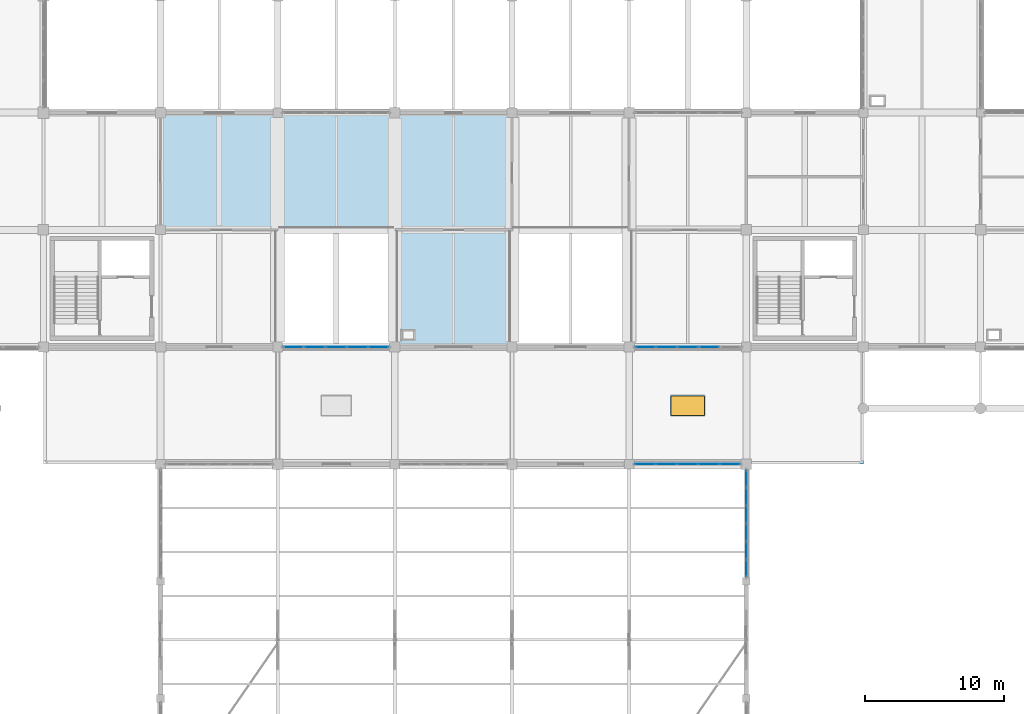
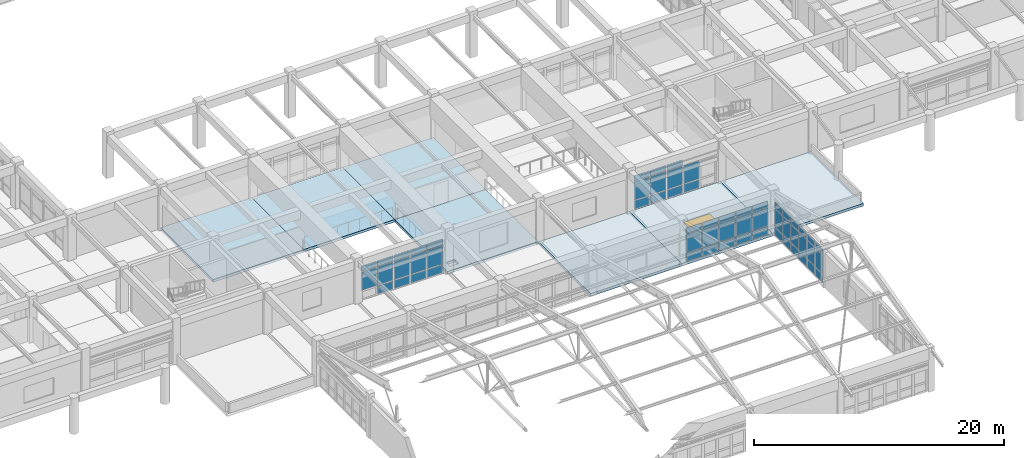
# One storey, part 62 of 99: 58 plates, 7 slabs, 1 window, 1 opening, 4 elements without a shape of their own.
"""IFC4 building model written with IfcOpenShell, lengths in metres."""

import ifcopenshell
import ifcopenshell.guid

model = None  # the IFC model being written
_history = None  # IfcOwnerHistory: only IFC2X3 demands one
_inside = {}  # id of a spatial element -> (the spatial element, [elements in it])
_under = {}  # id of a project, library or spatial element -> (it, [spatial elements below it])
_declared = {}  # id of a project -> (the project, [libraries it declares])
_typed = {}  # id of a type object -> (the type object, [elements of that type])
_made_of = {}  # id of a material, layer set ... -> (it, [elements and type objects made of it])


def new_model(schema):
    """Start an empty IFC model of exactly this schema.

    Asked for "IFC4X3", IfcOpenShell would pick the latest addendum, in which some entities
    have other attributes; the version numbers below select the first issue.
    IFC2X3 requires an IfcOwnerHistory on every rooted entity: one is made here for all.
    """
    global model, _history
    if schema == "IFC4X3":
        model = ifcopenshell.file(schema_version=(4, 3, 0, 0))
    else:
        model = ifcopenshell.file(schema=schema)
    _inside.clear()
    _under.clear()
    _declared.clear()
    _typed.clear()
    _made_of.clear()
    _history = None
    if model.schema == "IFC2X3":
        org = make("IfcOrganization", Name="unknown")
        user = make(
            "IfcPersonAndOrganization",
            ThePerson=make("IfcPerson", FamilyName="unknown"),
            TheOrganization=org,
        )
        app = make(
            "IfcApplication",
            ApplicationDeveloper=org,
            Version="unknown",
            ApplicationFullName="unknown",
            ApplicationIdentifier="unknown",
        )
        _history = make(
            "IfcOwnerHistory",
            OwningUser=user,
            OwningApplication=app,
            ChangeAction="ADDED",
            CreationDate=0,
        )
    return model


def make(cls, **values):
    """One entity of the class cls with the attributes given. An attribute that is None is left unset."""
    return model.create_entity(
        cls, **{name: value for name, value in values.items() if value is not None}
    )


def rooted(cls, **values):
    """An entity with a GlobalId (a new one), such as an element, a storey or a relation."""
    return make(cls, GlobalId=ifcopenshell.guid.new(), OwnerHistory=_history, **values)


def si_unit(unit_type, name, prefix=None):
    """IfcSIUnit, for example si_unit("LENGTHUNIT", "METRE", prefix="MILLI")."""
    return make("IfcSIUnit", UnitType=unit_type, Prefix=prefix, Name=name)


def assignment(units):
    """IfcUnitAssignment: the units of a project."""
    return None if units is None else make("IfcUnitAssignment", Units=units)


def point(xyz):
    """IfcCartesianPoint."""
    return None if xyz is None else make("IfcCartesianPoint", Coordinates=xyz)


def direction(xyz):
    """IfcDirection."""
    return None if xyz is None else make("IfcDirection", DirectionRatios=xyz)


def frame(location, z_axis=None, x_axis=None):
    """IfcAxis2Placement3D, a coordinate frame: its origin and axes. An axis left out is left unset."""
    return make(
        "IfcAxis2Placement3D",
        Location=point(location),
        Axis=direction(z_axis),
        RefDirection=direction(x_axis),
    )


def frame_2d(location, x_axis=None):
    """IfcAxis2Placement2D, a coordinate frame in the plane: its origin and x axis."""
    return make(
        "IfcAxis2Placement2D", Location=point(location), RefDirection=direction(x_axis)
    )


def origin():
    """The frame at (0, 0, 0) with its axes left unset."""
    return frame((0.0, 0.0, 0.0))


def origin_2d():
    """The frame at (0, 0) in the plane with its x axis left unset."""
    return frame_2d((0.0, 0.0))


def place(relative_to, where):
    """IfcLocalPlacement: puts the frame where relative to a parent placement (None: the world)."""
    return make(
        "IfcLocalPlacement", PlacementRelTo=relative_to, RelativePlacement=where
    )


def context(
    kind, dimensions, precision=None, world=None, true_north=None, identifier=None
):
    """IfcGeometricRepresentationContext, for example the 3D "Model" context."""
    return make(
        "IfcGeometricRepresentationContext",
        ContextIdentifier=identifier,
        ContextType=kind,
        CoordinateSpaceDimension=dimensions,
        Precision=precision,
        WorldCoordinateSystem=world,
        TrueNorth=true_north,
    )


def subcontext(parent, identifier, kind, view, scale=None):
    """IfcGeometricRepresentationSubContext, for example "Body" below "Model"."""
    return make(
        "IfcGeometricRepresentationSubContext",
        ContextIdentifier=identifier,
        ContextType=kind,
        ParentContext=parent,
        TargetScale=scale,
        TargetView=view,
    )


def project(units=None, contexts=None):
    """IfcProject with its units and contexts."""
    return rooted(
        "IfcProject",
        Name="project",
        RepresentationContexts=contexts,
        UnitsInContext=assignment(units),
    )


def spatial(cls, under=None, at=None, **own):
    """A site, building, storey or space (cls), placed at a placement, below another one or the project."""
    s = rooted(cls, ObjectPlacement=at, **own)
    if under is not None:
        _under.setdefault(under.id(), (under, []))[1].append(s)
    return s


def polyline(points):
    """IfcPolyline through the points."""
    return make("IfcPolyline", Points=[point(p) for p in points])


def profile(cls, at=None, kind="AREA", **sizes):
    """A parametric profile (cls). Its sizes go by their IFC names, for example OverallWidth=200.0."""
    return make(cls, ProfileType=kind, Position=at, **sizes)


def rectangle(**sizes):
    """IfcRectangleProfileDef."""
    return profile("IfcRectangleProfileDef", **sizes)


def outline(outer, holes=None, kind="AREA"):
    """IfcArbitraryClosedProfileDef: a profile drawn as a closed curve; with holes, ...WithVoids."""
    if holes is None:
        return make("IfcArbitraryClosedProfileDef", ProfileType=kind, OuterCurve=outer)
    return make(
        "IfcArbitraryProfileDefWithVoids",
        ProfileType=kind,
        OuterCurve=outer,
        InnerCurves=holes,
    )


def extrude(swept, where, along, depth):
    """IfcExtrudedAreaSolid: the profile swept, set in the frame where, extruded along a direction by depth."""
    return make(
        "IfcExtrudedAreaSolid",
        SweptArea=swept,
        Position=where,
        ExtrudedDirection=direction(along),
        Depth=depth,
    )


def shape(context_of_items, identifier, shape_type, items):
    """IfcShapeRepresentation: the items that make up one representation, for example the "Body"."""
    return make(
        "IfcShapeRepresentation",
        ContextOfItems=context_of_items,
        RepresentationIdentifier=identifier,
        RepresentationType=shape_type,
        Items=items,
    )


def material(Name=None, Category=None):
    """IfcMaterial."""
    return make("IfcMaterial", Name=Name, Category=Category)


def layer(
    of_material, thickness, ventilated=None, Name=None, Category=None, Priority=None
):
    """IfcMaterialLayer: one layer of a wall or slab, of a material (None: an air gap)."""
    return make(
        "IfcMaterialLayer",
        Material=of_material,
        LayerThickness=thickness,
        IsVentilated=ventilated,
        Name=Name,
        Category=Category,
        Priority=Priority,
    )


def layer_set(layers, Name=None):
    """IfcMaterialLayerSet."""
    return make("IfcMaterialLayerSet", MaterialLayers=layers, LayerSetName=Name)


def made_of(thing, what):
    """Note that an element or type object is made of a material, layer set ...; save() writes the relation."""
    if what is not None:
        _made_of.setdefault(what.id(), (what, []))[1].append(thing)
    return thing


def type_object(cls, material=None, **own):
    """A type object (cls), such as IfcWallType, which elements share."""
    return made_of(rooted(cls, **own), material)


def element(
    cls,
    number,
    at=None,
    inside=None,
    cuts=None,
    type_object=None,
    material=None,
    context=None,
    identifier="Body",
    shape_type=None,
    held_by="IfcProductDefinitionShape",
    body=None,
    shapes=None,
    **own,
):
    """One element of the class cls, such as IfcWall. Its Tag is "e" and its number.

    at: its placement. inside: the storey or other place that contains it. cuts: it is an
    opening in that element (IfcRelVoidsElement). A single representation is given by context,
    identifier, shape_type and body (its items); several are given by shapes. held_by: the class
    of the entity that holds the representations. save() writes the other relations.
    """
    e = rooted(cls, Tag="e%d" % number, ObjectPlacement=at, **own)
    if body is not None:
        shapes = [shape(context, identifier, shape_type, body)]
    if shapes is not None:
        e.Representation = make(held_by, Representations=shapes)
    if inside is not None:
        _inside.setdefault(inside.id(), (inside, []))[1].append(e)
    if cuts is not None:
        rooted(
            "IfcRelVoidsElement", RelatingBuildingElement=cuts, RelatedOpeningElement=e
        )
    if type_object is not None:
        _typed.setdefault(type_object.id(), (type_object, []))[1].append(e)
    return made_of(e, material)


def fill(opening, filler):
    """IfcRelFillsElement: the door or window that sits in an opening."""
    return rooted(
        "IfcRelFillsElement",
        RelatingOpeningElement=opening,
        RelatedBuildingElement=filler,
    )


def aggregate(whole, parts):
    """IfcRelAggregates: a whole, such as a stair, and the parts it consists of."""
    return rooted("IfcRelAggregates", RelatingObject=whole, RelatedObjects=parts)


def save(model, path):
    """Write the relations noted so far, then the file.

    IfcRelAggregates (storeys below a building ...), IfcRelContainedInSpatialStructure (elements
    in a storey), IfcRelDefinesByType, IfcRelAssociatesMaterial and IfcRelDeclares: one each for
    every whole, place, type object, material and project.
    """
    for whole, parts in _under.values():
        aggregate(whole, parts)
    for where, things in _inside.values():
        rooted(
            "IfcRelContainedInSpatialStructure",
            RelatedElements=things,
            RelatingStructure=where,
        )
    for kind, things in _typed.values():
        rooted("IfcRelDefinesByType", RelatedObjects=things, RelatingType=kind)
    for what, things in _made_of.values():
        rooted("IfcRelAssociatesMaterial", RelatedObjects=things, RelatingMaterial=what)
    for by, libraries in _declared.values():
        rooted("IfcRelDeclares", RelatingContext=by, RelatedDefinitions=libraries)
    model.write(path)


model = new_model("IFC4")

# Units and contexts
model_context = context("Model", 3, precision=1e-05, world=origin(), true_north=direction((0.0, 1.0)))
body_context = subcontext(model_context, "Body", "Model", "MODEL_VIEW")
ifc_project = project(units=[si_unit("LENGTHUNIT", "METRE"), si_unit("AREAUNIT", "SQUARE_METRE"), si_unit("VOLUMEUNIT", "CUBIC_METRE"), si_unit("PLANEANGLEUNIT", "RADIAN"), si_unit("MASSUNIT", "GRAM", prefix="KILO")], contexts=[model_context])

# Site, building, storey
site_placement = place(None, origin())
site = spatial("IfcSite", under=ifc_project, at=site_placement, CompositionType="ELEMENT")
building_placement = place(site_placement, origin())
building = spatial("IfcBuilding", under=site, at=building_placement, Name="Porcellanite Civic Hall", CompositionType="ELEMENT")
storey_placement = place(building_placement, frame((0.0, 0.0, 5.760009765625)))
storey = spatial("IfcBuildingStorey", under=building, at=storey_placement, Name="L01", CompositionType="ELEMENT", Elevation=5.760009765625)

# Curtain wall, plates
ifc_material_1 = material(Name="Anodised aluminium and solar laminated glass", Category="aluminium")
ifc_layer_1 = layer(ifc_material_1, 0.179931640625)
ifc_layer_set_1 = layer_set([ifc_layer_1], Name="Anodised aluminium and solar laminated glass")
curtain_wall_type = type_object("IfcCurtainWallType", Name="CW-SYS01", PredefinedType="NOTDEFINED", material=ifc_layer_set_1)
curtain_wall_1_placement = place(storey_placement, origin())
curtain_wall_1 = element("IfcCurtainWall", 1, at=curtain_wall_1_placement, inside=storey, type_object=curtain_wall_type, Name="Curtain wall CW-092", PredefinedType="NOTDEFINED")
ifc_material_2 = material(Name="Cyclone laminated solar-control low-E glass", Category="glass")
ifc_layer_2 = layer(ifc_material_2, 0.02392578125)
ifc_layer_set_2 = layer_set([ifc_layer_2], Name="Cyclone laminated solar-control low-E glass")
plate_type = type_object("IfcPlateType", Name="CWP-01", PredefinedType="CURTAIN_PANEL", material=ifc_layer_set_2)
plate_1_placement = place(storey_placement, frame((82.836669921875, 50.39990234375, 0.070068359375), z_axis=(0.0, 0.0, 1.0), x_axis=(-1.0, 0.0, 0.0)))
plate_1 = element("IfcPlate", 2, at=plate_1_placement, type_object=plate_type, Name="CW-092 panel 1.1", PredefinedType="CURTAIN_PANEL", context=body_context, shape_type="SweptSolid", body=[
    extrude(rectangle(XDim=1.41455078125, YDim=0.02392578125, at=origin_2d()), origin(), (0.0, 0.0, 1.0), 0.794921875),
])
plate_2_placement = place(storey_placement, frame((82.836669921875, 50.39990234375, 0.93505859375), z_axis=(0.0, 0.0, 1.0), x_axis=(-1.0, 0.0, 0.0)))
plate_2 = element("IfcPlate", 3, at=plate_2_placement, type_object=plate_type, Name="CW-092 panel 1.2", PredefinedType="CURTAIN_PANEL", context=body_context, shape_type="SweptSolid", body=[
    extrude(rectangle(XDim=1.41455078125, YDim=0.02392578125, at=origin_2d()), origin(), (0.0, 0.0, 1.0), 1.780029296875),
])
plate_3_placement = place(storey_placement, frame((82.836669921875, 50.39990234375, 2.784912109375), z_axis=(0.0, 0.0, 1.0), x_axis=(-1.0, 0.0, 0.0)))
plate_3 = element("IfcPlate", 4, at=plate_3_placement, type_object=plate_type, Name="CW-092 panel 1.3", PredefinedType="CURTAIN_PANEL", context=body_context, shape_type="SweptSolid", body=[
    extrude(rectangle(XDim=1.41455078125, YDim=0.02392578125, at=origin_2d()), origin(), (0.0, 0.0, 1.0), 0.544921875),
])
plate_4_placement = place(storey_placement, frame((81.322021484375, 50.39990234375, 0.070068359375), z_axis=(0.0, 0.0, 1.0), x_axis=(-1.0, 0.0, 0.0)))
plate_4 = element("IfcPlate", 5, at=plate_4_placement, type_object=plate_type, Name="CW-092 panel 2.1", PredefinedType="CURTAIN_PANEL", context=body_context, shape_type="SweptSolid", body=[
    extrude(rectangle(XDim=1.45458984375, YDim=0.02392578125, at=origin_2d()), origin(), (0.0, 0.0, 1.0), 0.794921875),
])
plate_5_placement = place(storey_placement, frame((81.322021484375, 50.39990234375, 0.93505859375), z_axis=(0.0, 0.0, 1.0), x_axis=(-1.0, 0.0, 0.0)))
plate_5 = element("IfcPlate", 6, at=plate_5_placement, type_object=plate_type, Name="CW-092 panel 2.2", PredefinedType="CURTAIN_PANEL", context=body_context, shape_type="SweptSolid", body=[
    extrude(rectangle(XDim=1.45458984375, YDim=0.02392578125, at=origin_2d()), origin(), (0.0, 0.0, 1.0), 1.780029296875),
])
plate_6_placement = place(storey_placement, frame((81.322021484375, 50.39990234375, 2.784912109375), z_axis=(0.0, 0.0, 1.0), x_axis=(-1.0, 0.0, 0.0)))
plate_6 = element("IfcPlate", 7, at=plate_6_placement, type_object=plate_type, Name="CW-092 panel 2.3", PredefinedType="CURTAIN_PANEL", context=body_context, shape_type="SweptSolid", body=[
    extrude(rectangle(XDim=1.45458984375, YDim=0.02392578125, at=origin_2d()), origin(), (0.0, 0.0, 1.0), 0.544921875),
])
plate_7_placement = place(storey_placement, frame((79.78759765625, 50.39990234375, 0.070068359375), z_axis=(0.0, 0.0, 1.0), x_axis=(-1.0, 0.0, 0.0)))
plate_7 = element("IfcPlate", 8, at=plate_7_placement, type_object=plate_type, Name="CW-092 panel 3.1", PredefinedType="CURTAIN_PANEL", context=body_context, shape_type="SweptSolid", body=[
    extrude(rectangle(XDim=1.45458984375, YDim=0.02392578125, at=origin_2d()), origin(), (0.0, 0.0, 1.0), 0.794921875),
])
plate_8_placement = place(storey_placement, frame((79.78759765625, 50.39990234375, 0.93505859375), z_axis=(0.0, 0.0, 1.0), x_axis=(-1.0, 0.0, 0.0)))
plate_8 = element("IfcPlate", 9, at=plate_8_placement, type_object=plate_type, Name="CW-092 panel 3.2", PredefinedType="CURTAIN_PANEL", context=body_context, shape_type="SweptSolid", body=[
    extrude(rectangle(XDim=1.45458984375, YDim=0.02392578125, at=origin_2d()), origin(), (0.0, 0.0, 1.0), 1.780029296875),
])
plate_9_placement = place(storey_placement, frame((79.78759765625, 50.39990234375, 2.784912109375), z_axis=(0.0, 0.0, 1.0), x_axis=(-1.0, 0.0, 0.0)))
plate_9 = element("IfcPlate", 10, at=plate_9_placement, type_object=plate_type, Name="CW-092 panel 3.3", PredefinedType="CURTAIN_PANEL", context=body_context, shape_type="SweptSolid", body=[
    extrude(rectangle(XDim=1.45458984375, YDim=0.02392578125, at=origin_2d()), origin(), (0.0, 0.0, 1.0), 0.544921875),
])
plate_10_placement = place(storey_placement, frame((78.2529296875, 50.39990234375, 0.070068359375), z_axis=(0.0, 0.0, 1.0), x_axis=(-1.0, 0.0, 0.0)))
plate_10 = element("IfcPlate", 11, at=plate_10_placement, type_object=plate_type, Name="CW-092 panel 4.1", PredefinedType="CURTAIN_PANEL", context=body_context, shape_type="SweptSolid", body=[
    extrude(rectangle(XDim=1.45458984375, YDim=0.02392578125, at=origin_2d()), origin(), (0.0, 0.0, 1.0), 0.794921875),
])
plate_11_placement = place(storey_placement, frame((78.2529296875, 50.39990234375, 0.93505859375), z_axis=(0.0, 0.0, 1.0), x_axis=(-1.0, 0.0, 0.0)))
plate_11 = element("IfcPlate", 12, at=plate_11_placement, type_object=plate_type, Name="CW-092 panel 4.2", PredefinedType="CURTAIN_PANEL", context=body_context, shape_type="SweptSolid", body=[
    extrude(rectangle(XDim=1.45458984375, YDim=0.02392578125, at=origin_2d()), origin(), (0.0, 0.0, 1.0), 1.780029296875),
])
plate_12_placement = place(storey_placement, frame((78.2529296875, 50.39990234375, 2.784912109375), z_axis=(0.0, 0.0, 1.0), x_axis=(-1.0, 0.0, 0.0)))
plate_12 = element("IfcPlate", 13, at=plate_12_placement, type_object=plate_type, Name="CW-092 panel 4.3", PredefinedType="CURTAIN_PANEL", context=body_context, shape_type="SweptSolid", body=[
    extrude(rectangle(XDim=1.45458984375, YDim=0.02392578125, at=origin_2d()), origin(), (0.0, 0.0, 1.0), 0.544921875),
])
plate_13_placement = place(storey_placement, frame((76.73828125, 50.39990234375, 0.93505859375), z_axis=(0.0, 0.0, 1.0), x_axis=(-1.0, 0.0, 0.0)))
plate_13 = element("IfcPlate", 14, at=plate_13_placement, type_object=plate_type, Name="CW-092 panel 5.2", PredefinedType="CURTAIN_PANEL", context=body_context, shape_type="SweptSolid", body=[
    extrude(rectangle(XDim=1.41455078125, YDim=0.02392578125, at=origin_2d()), origin(), (0.0, 0.0, 1.0), 1.780029296875),
])
plate_14_placement = place(storey_placement, frame((76.73828125, 50.39990234375, 2.784912109375), z_axis=(0.0, 0.0, 1.0), x_axis=(-1.0, 0.0, 0.0)))
plate_14 = element("IfcPlate", 15, at=plate_14_placement, type_object=plate_type, Name="CW-092 panel 5.3", PredefinedType="CURTAIN_PANEL", context=body_context, shape_type="SweptSolid", body=[
    extrude(rectangle(XDim=1.41455078125, YDim=0.02392578125, at=origin_2d()), origin(), (0.0, 0.0, 1.0), 0.544921875),
])
aggregate(curtain_wall_1, [plate_1, plate_2, plate_3, plate_4, plate_5, plate_6, plate_7, plate_8, plate_9, plate_10, plate_11, plate_12, plate_13, plate_14])

curtain_wall_2_placement = place(storey_placement, origin())
curtain_wall_2 = element("IfcCurtainWall", 16, at=curtain_wall_2_placement, inside=storey, type_object=curtain_wall_type, Name="Curtain wall CW-100", PredefinedType="NOTDEFINED")
plate_15_placement = place(storey_placement, frame((101.938232421875, 42.0, 0.070068359375), z_axis=(0.0, 0.0, 1.0), x_axis=(1.0, 0.0, 0.0)))
plate_15 = element("IfcPlate", 17, at=plate_15_placement, type_object=plate_type, Name="CW-100 panel 1.1", PredefinedType="CURTAIN_PANEL", context=body_context, shape_type="SweptSolid", body=[
    extrude(rectangle(XDim=1.41455078125, YDim=0.02392578125, at=origin_2d()), origin(), (0.0, 0.0, 1.0), 0.794921875),
])
plate_16_placement = place(storey_placement, frame((101.938232421875, 42.0, 0.93505859375), z_axis=(0.0, 0.0, 1.0), x_axis=(1.0, 0.0, 0.0)))
plate_16 = element("IfcPlate", 18, at=plate_16_placement, type_object=plate_type, Name="CW-100 panel 1.2", PredefinedType="CURTAIN_PANEL", context=body_context, shape_type="SweptSolid", body=[
    extrude(rectangle(XDim=1.41455078125, YDim=0.02392578125, at=origin_2d()), origin(), (0.0, 0.0, 1.0), 1.780029296875),
])
plate_17_placement = place(storey_placement, frame((101.938232421875, 42.0, 2.784912109375), z_axis=(0.0, 0.0, 1.0), x_axis=(1.0, 0.0, 0.0)))
plate_17 = element("IfcPlate", 19, at=plate_17_placement, type_object=plate_type, Name="CW-100 panel 1.3", PredefinedType="CURTAIN_PANEL", context=body_context, shape_type="SweptSolid", body=[
    extrude(rectangle(XDim=1.41455078125, YDim=0.02392578125, at=origin_2d()), origin(), (0.0, 0.0, 1.0), 0.544921875),
])
plate_18_placement = place(storey_placement, frame((103.452880859375, 42.0, 0.070068359375), z_axis=(0.0, 0.0, 1.0), x_axis=(1.0, 0.0, 0.0)))
plate_18 = element("IfcPlate", 20, at=plate_18_placement, type_object=plate_type, Name="CW-100 panel 2.1", PredefinedType="CURTAIN_PANEL", context=body_context, shape_type="SweptSolid", body=[
    extrude(rectangle(XDim=1.45458984375, YDim=0.02392578125, at=origin_2d()), origin(), (0.0, 0.0, 1.0), 0.794921875),
])
plate_19_placement = place(storey_placement, frame((103.452880859375, 42.0, 0.93505859375), z_axis=(0.0, 0.0, 1.0), x_axis=(1.0, 0.0, 0.0)))
plate_19 = element("IfcPlate", 21, at=plate_19_placement, type_object=plate_type, Name="CW-100 panel 2.2", PredefinedType="CURTAIN_PANEL", context=body_context, shape_type="SweptSolid", body=[
    extrude(rectangle(XDim=1.45458984375, YDim=0.02392578125, at=origin_2d()), origin(), (0.0, 0.0, 1.0), 1.780029296875),
])
plate_20_placement = place(storey_placement, frame((103.452880859375, 42.0, 2.784912109375), z_axis=(0.0, 0.0, 1.0), x_axis=(1.0, 0.0, 0.0)))
plate_20 = element("IfcPlate", 22, at=plate_20_placement, type_object=plate_type, Name="CW-100 panel 2.3", PredefinedType="CURTAIN_PANEL", context=body_context, shape_type="SweptSolid", body=[
    extrude(rectangle(XDim=1.45458984375, YDim=0.02392578125, at=origin_2d()), origin(), (0.0, 0.0, 1.0), 0.544921875),
])
plate_21_placement = place(storey_placement, frame((104.987548828125, 42.0, 0.070068359375), z_axis=(0.0, 0.0, 1.0), x_axis=(1.0, 0.0, 0.0)))
plate_21 = element("IfcPlate", 23, at=plate_21_placement, type_object=plate_type, Name="CW-100 panel 3.1", PredefinedType="CURTAIN_PANEL", context=body_context, shape_type="SweptSolid", body=[
    extrude(rectangle(XDim=1.45458984375, YDim=0.02392578125, at=origin_2d()), origin(), (0.0, 0.0, 1.0), 0.794921875),
])
plate_22_placement = place(storey_placement, frame((104.987548828125, 42.0, 0.93505859375), z_axis=(0.0, 0.0, 1.0), x_axis=(1.0, 0.0, 0.0)))
plate_22 = element("IfcPlate", 24, at=plate_22_placement, type_object=plate_type, Name="CW-100 panel 3.2", PredefinedType="CURTAIN_PANEL", context=body_context, shape_type="SweptSolid", body=[
    extrude(rectangle(XDim=1.45458984375, YDim=0.02392578125, at=origin_2d()), origin(), (0.0, 0.0, 1.0), 1.780029296875),
])
plate_23_placement = place(storey_placement, frame((104.987548828125, 42.0, 2.784912109375), z_axis=(0.0, 0.0, 1.0), x_axis=(1.0, 0.0, 0.0)))
plate_23 = element("IfcPlate", 25, at=plate_23_placement, type_object=plate_type, Name="CW-100 panel 3.3", PredefinedType="CURTAIN_PANEL", context=body_context, shape_type="SweptSolid", body=[
    extrude(rectangle(XDim=1.45458984375, YDim=0.02392578125, at=origin_2d()), origin(), (0.0, 0.0, 1.0), 0.544921875),
])
plate_24_placement = place(storey_placement, frame((106.522216796875, 42.0, 0.070068359375), z_axis=(0.0, 0.0, 1.0), x_axis=(1.0, 0.0, 0.0)))
plate_24 = element("IfcPlate", 26, at=plate_24_placement, type_object=plate_type, Name="CW-100 panel 4.1", PredefinedType="CURTAIN_PANEL", context=body_context, shape_type="SweptSolid", body=[
    extrude(rectangle(XDim=1.45458984375, YDim=0.02392578125, at=origin_2d()), origin(), (0.0, 0.0, 1.0), 0.794921875),
])
plate_25_placement = place(storey_placement, frame((106.522216796875, 42.0, 0.93505859375), z_axis=(0.0, 0.0, 1.0), x_axis=(1.0, 0.0, 0.0)))
plate_25 = element("IfcPlate", 27, at=plate_25_placement, type_object=plate_type, Name="CW-100 panel 4.2", PredefinedType="CURTAIN_PANEL", context=body_context, shape_type="SweptSolid", body=[
    extrude(rectangle(XDim=1.45458984375, YDim=0.02392578125, at=origin_2d()), origin(), (0.0, 0.0, 1.0), 1.780029296875),
])
plate_26_placement = place(storey_placement, frame((106.522216796875, 42.0, 2.784912109375), z_axis=(0.0, 0.0, 1.0), x_axis=(1.0, 0.0, 0.0)))
plate_26 = element("IfcPlate", 28, at=plate_26_placement, type_object=plate_type, Name="CW-100 panel 4.3", PredefinedType="CURTAIN_PANEL", context=body_context, shape_type="SweptSolid", body=[
    extrude(rectangle(XDim=1.45458984375, YDim=0.02392578125, at=origin_2d()), origin(), (0.0, 0.0, 1.0), 0.544921875),
])
plate_27_placement = place(storey_placement, frame((108.03662109375, 42.0, 0.070068359375), z_axis=(0.0, 0.0, 1.0), x_axis=(1.0, 0.0, 0.0)))
plate_27 = element("IfcPlate", 29, at=plate_27_placement, type_object=plate_type, Name="CW-100 panel 5.1", PredefinedType="CURTAIN_PANEL", context=body_context, shape_type="SweptSolid", body=[
    extrude(rectangle(XDim=1.41455078125, YDim=0.02392578125, at=origin_2d()), origin(), (0.0, 0.0, 1.0), 0.794921875),
])
plate_28_placement = place(storey_placement, frame((108.03662109375, 42.0, 0.93505859375), z_axis=(0.0, 0.0, 1.0), x_axis=(1.0, 0.0, 0.0)))
plate_28 = element("IfcPlate", 30, at=plate_28_placement, type_object=plate_type, Name="CW-100 panel 5.2", PredefinedType="CURTAIN_PANEL", context=body_context, shape_type="SweptSolid", body=[
    extrude(rectangle(XDim=1.41455078125, YDim=0.02392578125, at=origin_2d()), origin(), (0.0, 0.0, 1.0), 1.780029296875),
])
plate_29_placement = place(storey_placement, frame((108.03662109375, 42.0, 2.784912109375), z_axis=(0.0, 0.0, 1.0), x_axis=(1.0, 0.0, 0.0)))
plate_29 = element("IfcPlate", 31, at=plate_29_placement, type_object=plate_type, Name="CW-100 panel 5.3", PredefinedType="CURTAIN_PANEL", context=body_context, shape_type="SweptSolid", body=[
    extrude(rectangle(XDim=1.41455078125, YDim=0.02392578125, at=origin_2d()), origin(), (0.0, 0.0, 1.0), 0.544921875),
])
aggregate(curtain_wall_2, [plate_15, plate_16, plate_17, plate_18, plate_19, plate_20, plate_21, plate_22, plate_23, plate_24, plate_25, plate_26, plate_27, plate_28, plate_29])

curtain_wall_3_placement = place(storey_placement, origin())
curtain_wall_3 = element("IfcCurtainWall", 32, at=curtain_wall_3_placement, inside=storey, type_object=curtain_wall_type, Name="Curtain wall CW-101", PredefinedType="NOTDEFINED")
plate_30_placement = place(storey_placement, frame((109.199951171875, 40.958251953125, 0.070068359375), z_axis=(0.0, 0.0, 1.0), x_axis=(0.0, -1.0, 0.0)))
plate_30 = element("IfcPlate", 33, at=plate_30_placement, type_object=plate_type, Name="CW-101 panel 1.1", PredefinedType="CURTAIN_PANEL", context=body_context, shape_type="SweptSolid", body=[
    extrude(rectangle(XDim=1.17138671875, YDim=0.02392578125, at=origin_2d()), origin(), (0.0, 0.0, 1.0), 0.794921875),
])
plate_31_placement = place(storey_placement, frame((109.199951171875, 40.958251953125, 0.93505859375), z_axis=(0.0, 0.0, 1.0), x_axis=(0.0, -1.0, 0.0)))
plate_31 = element("IfcPlate", 34, at=plate_31_placement, type_object=plate_type, Name="CW-101 panel 1.2", PredefinedType="CURTAIN_PANEL", context=body_context, shape_type="SweptSolid", body=[
    extrude(rectangle(XDim=1.17138671875, YDim=0.02392578125, at=origin_2d()), origin(), (0.0, 0.0, 1.0), 1.780029296875),
])
plate_32_placement = place(storey_placement, frame((109.199951171875, 40.958251953125, 2.784912109375), z_axis=(0.0, 0.0, 1.0), x_axis=(0.0, -1.0, 0.0)))
plate_32 = element("IfcPlate", 35, at=plate_32_placement, type_object=plate_type, Name="CW-101 panel 1.3", PredefinedType="CURTAIN_PANEL", context=body_context, shape_type="SweptSolid", body=[
    extrude(rectangle(XDim=1.17138671875, YDim=0.02392578125, at=origin_2d()), origin(), (0.0, 0.0, 1.0), 0.544921875),
])
plate_33_placement = place(storey_placement, frame((109.199951171875, 39.68701171875, 0.070068359375), z_axis=(0.0, 0.0, 1.0), x_axis=(0.0, -1.0, 0.0)))
plate_33 = element("IfcPlate", 36, at=plate_33_placement, type_object=plate_type, Name="CW-101 panel 2.1", PredefinedType="CURTAIN_PANEL", context=body_context, shape_type="SweptSolid", body=[
    extrude(rectangle(XDim=1.21142578125, YDim=0.02392578125, at=origin_2d()), origin(), (0.0, 0.0, 1.0), 0.794921875),
])
plate_34_placement = place(storey_placement, frame((109.199951171875, 39.68701171875, 0.93505859375), z_axis=(0.0, 0.0, 1.0), x_axis=(0.0, -1.0, 0.0)))
plate_34 = element("IfcPlate", 37, at=plate_34_placement, type_object=plate_type, Name="CW-101 panel 2.2", PredefinedType="CURTAIN_PANEL", context=body_context, shape_type="SweptSolid", body=[
    extrude(rectangle(XDim=1.21142578125, YDim=0.02392578125, at=origin_2d()), origin(), (0.0, 0.0, 1.0), 1.780029296875),
])
plate_35_placement = place(storey_placement, frame((109.199951171875, 39.68701171875, 2.784912109375), z_axis=(0.0, 0.0, 1.0), x_axis=(0.0, -1.0, 0.0)))
plate_35 = element("IfcPlate", 38, at=plate_35_placement, type_object=plate_type, Name="CW-101 panel 2.3", PredefinedType="CURTAIN_PANEL", context=body_context, shape_type="SweptSolid", body=[
    extrude(rectangle(XDim=1.21142578125, YDim=0.02392578125, at=origin_2d()), origin(), (0.0, 0.0, 1.0), 0.544921875),
])
plate_36_placement = place(storey_placement, frame((109.199951171875, 38.395751953125, 0.070068359375), z_axis=(0.0, 0.0, 1.0), x_axis=(0.0, -1.0, 0.0)))
plate_36 = element("IfcPlate", 39, at=plate_36_placement, type_object=plate_type, Name="CW-101 panel 3.1", PredefinedType="CURTAIN_PANEL", context=body_context, shape_type="SweptSolid", body=[
    extrude(rectangle(XDim=1.21142578125, YDim=0.02392578125, at=origin_2d()), origin(), (0.0, 0.0, 1.0), 0.794921875),
])
plate_37_placement = place(storey_placement, frame((109.199951171875, 38.395751953125, 0.93505859375), z_axis=(0.0, 0.0, 1.0), x_axis=(0.0, -1.0, 0.0)))
plate_37 = element("IfcPlate", 40, at=plate_37_placement, type_object=plate_type, Name="CW-101 panel 3.2", PredefinedType="CURTAIN_PANEL", context=body_context, shape_type="SweptSolid", body=[
    extrude(rectangle(XDim=1.21142578125, YDim=0.02392578125, at=origin_2d()), origin(), (0.0, 0.0, 1.0), 1.780029296875),
])
plate_38_placement = place(storey_placement, frame((109.199951171875, 38.395751953125, 2.784912109375), z_axis=(0.0, 0.0, 1.0), x_axis=(0.0, -1.0, 0.0)))
plate_38 = element("IfcPlate", 41, at=plate_38_placement, type_object=plate_type, Name="CW-101 panel 3.3", PredefinedType="CURTAIN_PANEL", context=body_context, shape_type="SweptSolid", body=[
    extrude(rectangle(XDim=1.21142578125, YDim=0.02392578125, at=origin_2d()), origin(), (0.0, 0.0, 1.0), 0.544921875),
])
plate_39_placement = place(storey_placement, frame((109.199951171875, 37.104248046875, 0.070068359375), z_axis=(0.0, 0.0, 1.0), x_axis=(0.0, -1.0, 0.0)))
plate_39 = element("IfcPlate", 42, at=plate_39_placement, type_object=plate_type, Name="CW-101 panel 4.1", PredefinedType="CURTAIN_PANEL", context=body_context, shape_type="SweptSolid", body=[
    extrude(rectangle(XDim=1.21142578125, YDim=0.02392578125, at=origin_2d()), origin(), (0.0, 0.0, 1.0), 0.794921875),
])
plate_40_placement = place(storey_placement, frame((109.199951171875, 37.104248046875, 0.93505859375), z_axis=(0.0, 0.0, 1.0), x_axis=(0.0, -1.0, 0.0)))
plate_40 = element("IfcPlate", 43, at=plate_40_placement, type_object=plate_type, Name="CW-101 panel 4.2", PredefinedType="CURTAIN_PANEL", context=body_context, shape_type="SweptSolid", body=[
    extrude(rectangle(XDim=1.21142578125, YDim=0.02392578125, at=origin_2d()), origin(), (0.0, 0.0, 1.0), 1.780029296875),
])
plate_41_placement = place(storey_placement, frame((109.199951171875, 37.104248046875, 2.784912109375), z_axis=(0.0, 0.0, 1.0), x_axis=(0.0, -1.0, 0.0)))
plate_41 = element("IfcPlate", 44, at=plate_41_placement, type_object=plate_type, Name="CW-101 panel 4.3", PredefinedType="CURTAIN_PANEL", context=body_context, shape_type="SweptSolid", body=[
    extrude(rectangle(XDim=1.21142578125, YDim=0.02392578125, at=origin_2d()), origin(), (0.0, 0.0, 1.0), 0.544921875),
])
plate_42_placement = place(storey_placement, frame((109.199951171875, 35.81298828125, 0.070068359375), z_axis=(0.0, 0.0, 1.0), x_axis=(0.0, -1.0, 0.0)))
plate_42 = element("IfcPlate", 45, at=plate_42_placement, type_object=plate_type, Name="CW-101 panel 5.1", PredefinedType="CURTAIN_PANEL", context=body_context, shape_type="SweptSolid", body=[
    extrude(rectangle(XDim=1.21142578125, YDim=0.02392578125, at=origin_2d()), origin(), (0.0, 0.0, 1.0), 0.794921875),
])
plate_43_placement = place(storey_placement, frame((109.199951171875, 35.81298828125, 0.93505859375), z_axis=(0.0, 0.0, 1.0), x_axis=(0.0, -1.0, 0.0)))
plate_43 = element("IfcPlate", 46, at=plate_43_placement, type_object=plate_type, Name="CW-101 panel 5.2", PredefinedType="CURTAIN_PANEL", context=body_context, shape_type="SweptSolid", body=[
    extrude(rectangle(XDim=1.21142578125, YDim=0.02392578125, at=origin_2d()), origin(), (0.0, 0.0, 1.0), 1.780029296875),
])
plate_44_placement = place(storey_placement, frame((109.199951171875, 35.81298828125, 2.784912109375), z_axis=(0.0, 0.0, 1.0), x_axis=(0.0, -1.0, 0.0)))
plate_44 = element("IfcPlate", 47, at=plate_44_placement, type_object=plate_type, Name="CW-101 panel 5.3", PredefinedType="CURTAIN_PANEL", context=body_context, shape_type="SweptSolid", body=[
    extrude(rectangle(XDim=1.21142578125, YDim=0.02392578125, at=origin_2d()), origin(), (0.0, 0.0, 1.0), 0.544921875),
])
plate_45_placement = place(storey_placement, frame((109.199951171875, 34.541748046875, 0.070068359375), z_axis=(0.0, 0.0, 1.0), x_axis=(0.0, -1.0, 0.0)))
plate_45 = element("IfcPlate", 48, at=plate_45_placement, type_object=plate_type, Name="CW-101 panel 6.1", PredefinedType="CURTAIN_PANEL", context=body_context, shape_type="SweptSolid", body=[
    extrude(rectangle(XDim=1.17138671875, YDim=0.02392578125, at=origin_2d()), origin(), (0.0, 0.0, 1.0), 0.794921875),
])
plate_46_placement = place(storey_placement, frame((109.199951171875, 34.541748046875, 0.93505859375), z_axis=(0.0, 0.0, 1.0), x_axis=(0.0, -1.0, 0.0)))
plate_46 = element("IfcPlate", 49, at=plate_46_placement, type_object=plate_type, Name="CW-101 panel 6.2", PredefinedType="CURTAIN_PANEL", context=body_context, shape_type="SweptSolid", body=[
    extrude(rectangle(XDim=1.17138671875, YDim=0.02392578125, at=origin_2d()), origin(), (0.0, 0.0, 1.0), 1.780029296875),
])
plate_47_placement = place(storey_placement, frame((109.199951171875, 34.541748046875, 2.784912109375), z_axis=(0.0, 0.0, 1.0), x_axis=(0.0, -1.0, 0.0)))
plate_47 = element("IfcPlate", 50, at=plate_47_placement, type_object=plate_type, Name="CW-101 panel 6.3", PredefinedType="CURTAIN_PANEL", context=body_context, shape_type="SweptSolid", body=[
    extrude(rectangle(XDim=1.17138671875, YDim=0.02392578125, at=origin_2d()), origin(), (0.0, 0.0, 1.0), 0.544921875),
])
aggregate(curtain_wall_3, [plate_30, plate_31, plate_32, plate_33, plate_34, plate_35, plate_36, plate_37, plate_38, plate_39, plate_40, plate_41, plate_42, plate_43, plate_44, plate_45, plate_46, plate_47])

curtain_wall_4_placement = place(storey_placement, origin())
curtain_wall_4 = element("IfcCurtainWall", 51, at=curtain_wall_4_placement, inside=storey, type_object=curtain_wall_type, Name="Curtain wall CW-102", PredefinedType="NOTDEFINED")
plate_48_placement = place(storey_placement, frame((106.547119140625, 50.39990234375, 0.070068359375), z_axis=(0.0, 0.0, 1.0), x_axis=(-1.0, 0.0, 0.0)))
plate_48 = element("IfcPlate", 52, at=plate_48_placement, type_object=plate_type, Name="CW-102 panel 2.1", PredefinedType="CURTAIN_PANEL", context=body_context, shape_type="SweptSolid", body=[
    extrude(rectangle(XDim=1.45458984375, YDim=0.02392578125, at=origin_2d()), origin(), (0.0, 0.0, 1.0), 0.794921875),
])
plate_49_placement = place(storey_placement, frame((106.547119140625, 50.39990234375, 0.93505859375), z_axis=(0.0, 0.0, 1.0), x_axis=(-1.0, 0.0, 0.0)))
plate_49 = element("IfcPlate", 53, at=plate_49_placement, type_object=plate_type, Name="CW-102 panel 2.2", PredefinedType="CURTAIN_PANEL", context=body_context, shape_type="SweptSolid", body=[
    extrude(rectangle(XDim=1.45458984375, YDim=0.02392578125, at=origin_2d()), origin(), (0.0, 0.0, 1.0), 1.780029296875),
])
plate_50_placement = place(storey_placement, frame((105.012451171875, 50.39990234375, 0.070068359375), z_axis=(0.0, 0.0, 1.0), x_axis=(-1.0, 0.0, 0.0)))
plate_50 = element("IfcPlate", 54, at=plate_50_placement, type_object=plate_type, Name="CW-102 panel 3.1", PredefinedType="CURTAIN_PANEL", context=body_context, shape_type="SweptSolid", body=[
    extrude(rectangle(XDim=1.45458984375, YDim=0.02392578125, at=origin_2d()), origin(), (0.0, 0.0, 1.0), 0.794921875),
])
plate_51_placement = place(storey_placement, frame((105.012451171875, 50.39990234375, 0.93505859375), z_axis=(0.0, 0.0, 1.0), x_axis=(-1.0, 0.0, 0.0)))
plate_51 = element("IfcPlate", 55, at=plate_51_placement, type_object=plate_type, Name="CW-102 panel 3.2", PredefinedType="CURTAIN_PANEL", context=body_context, shape_type="SweptSolid", body=[
    extrude(rectangle(XDim=1.45458984375, YDim=0.02392578125, at=origin_2d()), origin(), (0.0, 0.0, 1.0), 1.780029296875),
])
plate_52_placement = place(storey_placement, frame((105.012451171875, 50.39990234375, 2.784912109375), z_axis=(0.0, 0.0, 1.0), x_axis=(-1.0, 0.0, 0.0)))
plate_52 = element("IfcPlate", 56, at=plate_52_placement, type_object=plate_type, Name="CW-102 panel 3.3", PredefinedType="CURTAIN_PANEL", context=body_context, shape_type="SweptSolid", body=[
    extrude(rectangle(XDim=1.45458984375, YDim=0.02392578125, at=origin_2d()), origin(), (0.0, 0.0, 1.0), 0.544921875),
])
plate_53_placement = place(storey_placement, frame((103.477783203125, 50.39990234375, 0.070068359375), z_axis=(0.0, 0.0, 1.0), x_axis=(-1.0, 0.0, 0.0)))
plate_53 = element("IfcPlate", 57, at=plate_53_placement, type_object=plate_type, Name="CW-102 panel 4.1", PredefinedType="CURTAIN_PANEL", context=body_context, shape_type="SweptSolid", body=[
    extrude(rectangle(XDim=1.45458984375, YDim=0.02392578125, at=origin_2d()), origin(), (0.0, 0.0, 1.0), 0.794921875),
])
plate_54_placement = place(storey_placement, frame((103.477783203125, 50.39990234375, 0.93505859375), z_axis=(0.0, 0.0, 1.0), x_axis=(-1.0, 0.0, 0.0)))
plate_54 = element("IfcPlate", 58, at=plate_54_placement, type_object=plate_type, Name="CW-102 panel 4.2", PredefinedType="CURTAIN_PANEL", context=body_context, shape_type="SweptSolid", body=[
    extrude(rectangle(XDim=1.45458984375, YDim=0.02392578125, at=origin_2d()), origin(), (0.0, 0.0, 1.0), 1.780029296875),
])
plate_55_placement = place(storey_placement, frame((103.477783203125, 50.39990234375, 2.784912109375), z_axis=(0.0, 0.0, 1.0), x_axis=(-1.0, 0.0, 0.0)))
plate_55 = element("IfcPlate", 59, at=plate_55_placement, type_object=plate_type, Name="CW-102 panel 4.3", PredefinedType="CURTAIN_PANEL", context=body_context, shape_type="SweptSolid", body=[
    extrude(rectangle(XDim=1.45458984375, YDim=0.02392578125, at=origin_2d()), origin(), (0.0, 0.0, 1.0), 0.544921875),
])
plate_56_placement = place(storey_placement, frame((101.96337890625, 50.39990234375, 0.070068359375), z_axis=(0.0, 0.0, 1.0), x_axis=(-1.0, 0.0, 0.0)))
plate_56 = element("IfcPlate", 60, at=plate_56_placement, type_object=plate_type, Name="CW-102 panel 5.1", PredefinedType="CURTAIN_PANEL", context=body_context, shape_type="SweptSolid", body=[
    extrude(rectangle(XDim=1.41455078125, YDim=0.02392578125, at=origin_2d()), origin(), (0.0, 0.0, 1.0), 0.794921875),
])
plate_57_placement = place(storey_placement, frame((101.96337890625, 50.39990234375, 0.93505859375), z_axis=(0.0, 0.0, 1.0), x_axis=(-1.0, 0.0, 0.0)))
plate_57 = element("IfcPlate", 61, at=plate_57_placement, type_object=plate_type, Name="CW-102 panel 5.2", PredefinedType="CURTAIN_PANEL", context=body_context, shape_type="SweptSolid", body=[
    extrude(rectangle(XDim=1.41455078125, YDim=0.02392578125, at=origin_2d()), origin(), (0.0, 0.0, 1.0), 1.780029296875),
])
plate_58_placement = place(storey_placement, frame((101.96337890625, 50.39990234375, 2.784912109375), z_axis=(0.0, 0.0, 1.0), x_axis=(-1.0, 0.0, 0.0)))
plate_58 = element("IfcPlate", 62, at=plate_58_placement, type_object=plate_type, Name="CW-102 panel 5.3", PredefinedType="CURTAIN_PANEL", context=body_context, shape_type="SweptSolid", body=[
    extrude(rectangle(XDim=1.41455078125, YDim=0.02392578125, at=origin_2d()), origin(), (0.0, 0.0, 1.0), 0.544921875),
])
aggregate(curtain_wall_4, [plate_48, plate_49, plate_50, plate_51, plate_52, plate_53, plate_54, plate_55, plate_56, plate_57, plate_58])

# Slabs
ifc_material_3 = material(Name="Concrete N40 (40 MPa)", Category="concrete")
ifc_layer_3 = layer(ifc_material_3, 0.25)
ifc_layer_set_3 = layer_set([ifc_layer_3], Name="Concrete N40 (40 MPa)")
slab_type_1 = type_object("IfcSlabType", Name="SL-FL250", PredefinedType="FLOOR", material=ifc_layer_set_3)
slab_1_placement = place(storey_placement, frame((0.0, 0.0, -0.25)))
element("IfcSlab", 63, at=slab_1_placement, inside=storey, type_object=slab_type_1, Name="Slab L01 bay 10-8", PredefinedType="FLOOR", context=body_context, shape_type="SweptSolid", body=[
    extrude(outline(polyline([(75.60009765625, 58.800048828125), (84.0, 58.800048828125), (84.0, 67.199951171875), (75.60009765625, 67.199951171875), (75.60009765625, 58.800048828125)])), origin(), (0.0, 0.0, 1.0), 0.25),
])
slab_2_placement = place(storey_placement, frame((0.0, 0.0, -0.25)))
element("IfcSlab", 64, at=slab_2_placement, inside=storey, type_object=slab_type_1, Name="Slab L01 bay 11-7", PredefinedType="FLOOR", context=body_context, shape_type="SweptSolid", body=[
    extrude(outline(polyline([(84.0, 50.39990234375), (92.39990234375, 50.39990234375), (92.39990234375, 58.800048828125), (84.0, 58.800048828125), (84.0, 50.39990234375)]), holes=[polyline([(84.550048828125, 50.949951171875), (85.35009765625, 50.949951171875), (85.35009765625, 51.550048828125), (84.550048828125, 51.550048828125), (84.550048828125, 50.949951171875)])]), origin(), (0.0, 0.0, 1.0), 0.25),
])
slab_3_placement = place(storey_placement, frame((0.0, 0.0, -0.25)))
element("IfcSlab", 65, at=slab_3_placement, inside=storey, type_object=slab_type_1, Name="Slab L01 bay 11-8", PredefinedType="FLOOR", context=body_context, shape_type="SweptSolid", body=[
    extrude(outline(polyline([(84.0, 58.800048828125), (92.39990234375, 58.800048828125), (92.39990234375, 67.199951171875), (84.0, 67.199951171875), (84.0, 58.800048828125)])), origin(), (0.0, 0.0, 1.0), 0.25),
])
ifc_material_4 = material(Name="Concrete N40 (40 MPa)", Category="concrete")
ifc_layer_4 = layer(ifc_material_4, 0.260009765625)
ifc_layer_set_4 = layer_set([ifc_layer_4], Name="Concrete N40 (40 MPa)")
slab_type_2 = type_object("IfcSlabType", Name="SL-FL260", PredefinedType="FLOOR", material=ifc_layer_set_4)
slab_4_placement = place(storey_placement, frame((0.0, 0.0, -0.260009765625)))
element("IfcSlab", 66, at=slab_4_placement, inside=storey, type_object=slab_type_2, Name="Slab L01 bay 9-8", PredefinedType="FLOOR", context=body_context, shape_type="SweptSolid", body=[
    extrude(outline(polyline([(67.199951171875, 58.800048828125), (75.60009765625, 58.800048828125), (75.60009765625, 67.199951171875), (67.199951171875, 67.199951171875), (67.199951171875, 58.800048828125)])), origin(), (0.0, 0.0, 1.0), 0.260009765625),
])
ifc_material_5 = material(Name="Concrete N40 (40 MPa)", Category="concrete")
ifc_layer_5 = layer(ifc_material_5, 0.260009765625)
ifc_layer_set_5 = layer_set([ifc_layer_5], Name="Concrete N40 (40 MPa)")
slab_type_3 = type_object("IfcSlabType", Name="SL-RF260", PredefinedType="ROOF", material=ifc_layer_set_5)
slab_5_placement = place(storey_placement, frame((0.0, 0.0, -0.260009765625)))
element("IfcSlab", 67, at=slab_5_placement, inside=storey, type_object=slab_type_3, Name="Roof slab L01 12-6", PredefinedType="ROOF", context=body_context, shape_type="SweptSolid", body=[
    extrude(outline(polyline([(92.39990234375, 42.0), (100.800048828125, 42.0), (100.800048828125, 50.39990234375), (92.39990234375, 50.39990234375), (92.39990234375, 42.0)])), origin(), (0.0, 0.0, 1.0), 0.260009765625),
])

# Slab, opening, window
slab_6_placement = place(storey_placement, frame((0.0, 0.0, -0.260009765625)))
slab_6 = element("IfcSlab", 68, at=slab_6_placement, inside=storey, type_object=slab_type_3, Name="Roof slab L01 13-6", PredefinedType="ROOF", context=body_context, shape_type="SweptSolid", body=[
    extrude(outline(polyline([(100.800048828125, 42.0), (109.199951171875, 42.0), (109.199951171875, 50.39990234375), (100.800048828125, 50.39990234375), (100.800048828125, 42.0)])), origin(), (0.0, 0.0, 1.0), 0.260009765625),
])
opening_placement = place(slab_6_placement, frame((105.0, 46.199951171875, 0.0)))
opening = element("IfcOpeningElement", 69, at=opening_placement, cuts=slab_6, Name="Opening SK5", PredefinedType="OPENING", context=body_context, shape_type="SweptSolid", body=[
    extrude(rectangle(XDim=2.39990234375, YDim=1.39990234375, at=origin_2d()), origin(), (0.0, 0.0, 1.0), 0.260009765625),
])
ifc_material_6 = material(Name="Cyclone laminated low-E glazing in anodised aluminium frame", Category="aluminium")
window_type = type_object("IfcWindowType", Name="SK-05", PartitioningType="DOUBLE_PANEL_VERTICAL", PredefinedType="SKYLIGHT", material=ifc_material_6)
window_placement = place(opening_placement, frame((0.0, 0.0, 0.2099609375)))
window = element("IfcWindow", 70, at=window_placement, inside=storey, type_object=window_type, Name="Roof skylight SK5 L01 13-6", OverallHeight=1.39990234375, OverallWidth=2.39990234375, PartitioningType="SINGLE_PANEL", PredefinedType="SKYLIGHT", context=body_context, shape_type="SweptSolid", body=[
    extrude(rectangle(XDim=2.39990234375, YDim=1.39990234375, at=origin_2d()), origin(), (0.0, 0.0, 1.0), 0.050048828125),
])
fill(opening, window)

# Slab
slab_7_placement = place(storey_placement, frame((0.0, 0.0, -0.260009765625)))
element("IfcSlab", 71, at=slab_7_placement, inside=storey, type_object=slab_type_3, Name="Roof slab L01 14-6", PredefinedType="ROOF", context=body_context, shape_type="SweptSolid", body=[
    extrude(outline(polyline([(109.199951171875, 42.0), (117.60009765625, 42.0), (117.60009765625, 50.39990234375), (109.199951171875, 50.39990234375), (109.199951171875, 42.0)])), origin(), (0.0, 0.0, 1.0), 0.260009765625),
])

save(model, "model.ifc")
